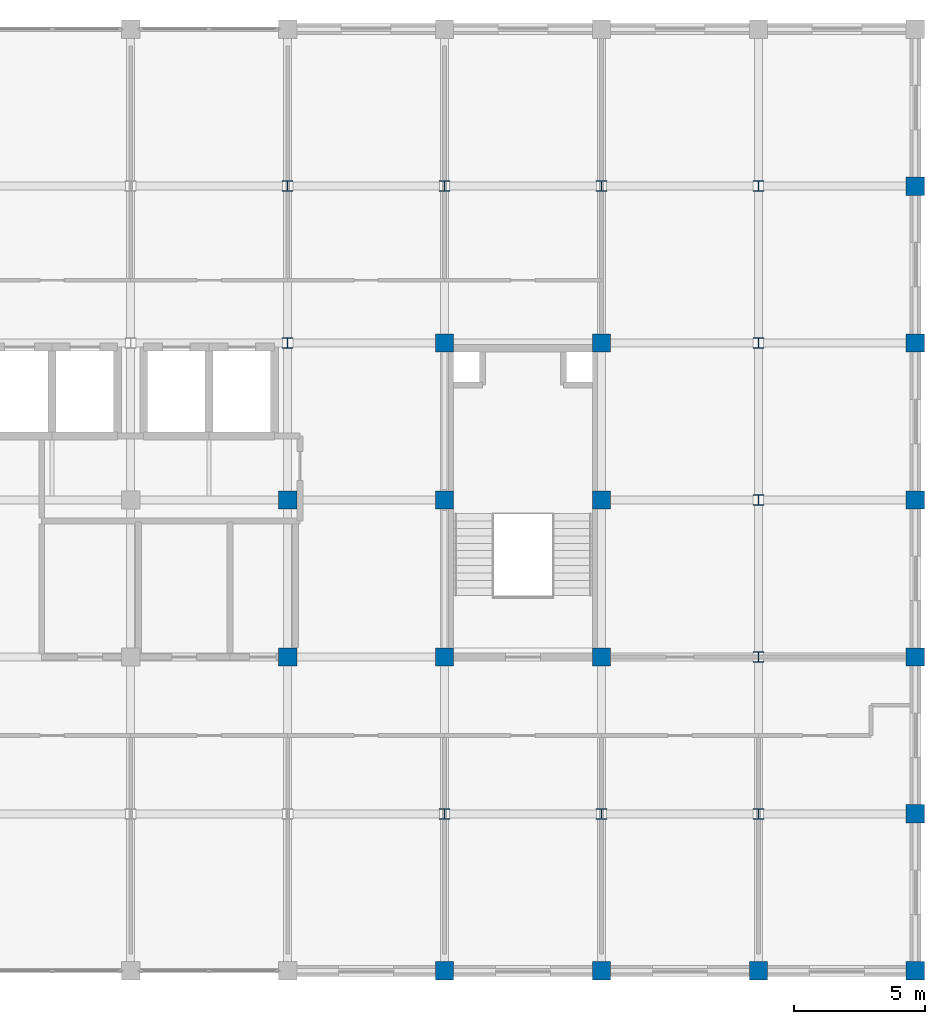
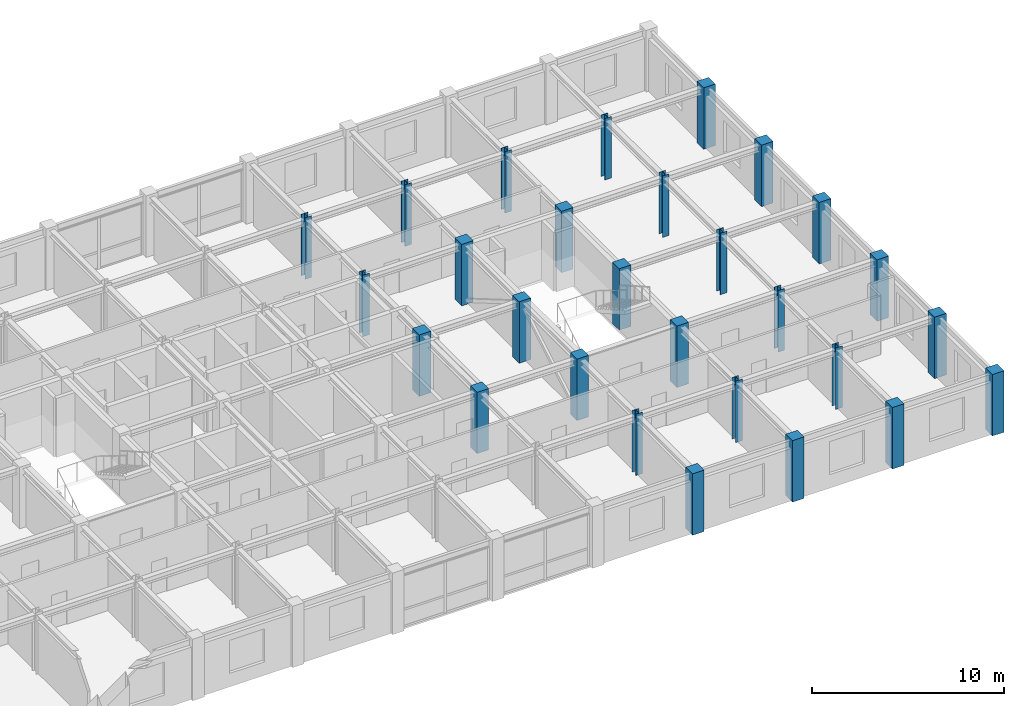
# One storey, part 2 of 14: 28 columns.
"""IFC4 building model written with IfcOpenShell, lengths in metres."""

from ifc_helpers import new_model, si_unit, direction, frame, origin, origin_2d, place, context, subcontext, project, spatial, rectangle, i_section, extrude, material, material_profile, profile_set, type_object, element, save


model = new_model("IFC4")

# Units and contexts
model_context = context("Model", 3, precision=1e-05, world=origin(), true_north=direction((0.0, 1.0)))
body_context = subcontext(model_context, "Body", "Model", "MODEL_VIEW")
ifc_project = project(units=[si_unit("LENGTHUNIT", "METRE"), si_unit("AREAUNIT", "SQUARE_METRE"), si_unit("VOLUMEUNIT", "CUBIC_METRE"), si_unit("PLANEANGLEUNIT", "RADIAN"), si_unit("MASSUNIT", "GRAM", prefix="KILO")], contexts=[model_context])

# Site, building, storey
site_placement = place(None, origin())
site = spatial("IfcSite", under=ifc_project, at=site_placement, CompositionType="ELEMENT")
building_placement = place(site_placement, origin())
building = spatial("IfcBuilding", under=site, at=building_placement, Name="Zlatovratsky Civic Hall", CompositionType="ELEMENT")
storey_placement = place(building_placement, frame((0.0, 0.0, 28.800048828125)))
storey = spatial("IfcBuildingStorey", under=building, at=storey_placement, Name="L07", CompositionType="ELEMENT", Elevation=28.800048828125)

# Columns
ifc_material_1 = material(Name="Concrete C35/45 (B40)", Category="concrete")
ifc_material_profile_1 = material_profile(ifc_material_1, rectangle(XDim=0.699951171875, YDim=0.699951171875, at=origin_2d()), Name="RC 700x700")
ifc_profile_set_1 = profile_set([ifc_material_profile_1], Name="Concrete C35/45 (B40)")
column_type_1 = type_object("IfcColumnType", Name="Col_CorePier_RC700", PredefinedType="COLUMN", material=ifc_profile_set_1)
for number, where, z_axis, x_axis, name in (
    (1, (96.0, 72.0, 0.0), (0.0, 0.0, 1.0), (1.0, 0.0, 0.0), "CL-2102"),
    (2, (102.0, 72.0, 0.0), (0.0, 0.0, 1.0), (1.0, 0.0, 0.0), "CL-2103"),
    (3, (108.0, 72.0, 0.0), (0.0, 0.0, 1.0), (1.0, 0.0, 0.0), "CL-2104"),
    (4, (114.0, 72.0, 0.0), (0.0, 0.0, 1.0), (1.0, 0.0, 0.0), "CL-2105"),
    (5, (114.0, 78.0, 0.0), (0.0, 0.0, 1.0), (1.0, 0.0, 0.0), "CL-2116"),
    (6, (90.0, 84.0, 0.0), (0.0, 0.0, 1.0), (1.0, 0.0, 0.0), "CL-2123"),
    (7, (96.0, 84.0, 0.0), (0.0, 0.0, 1.0), (1.0, 0.0, 0.0), "CL-2124"),
    (8, (102.0, 84.0, 0.0), (0.0, 0.0, 1.0), (1.0, 0.0, 0.0), "CL-2125"),
    (9, (114.0, 84.0, 0.0), (0.0, 0.0, 1.0), (1.0, 0.0, 0.0), "CL-2127"),
    (10, (90.0, 90.0, 0.0), (0.0, 0.0, 1.0), (1.0, 0.0, 0.0), "CL-2134"),
    (11, (96.0, 90.0, 0.0), (0.0, 0.0, 1.0), (1.0, 0.0, 0.0), "CL-2135"),
    (12, (102.0, 90.0, 0.0), (0.0, 0.0, 1.0), (1.0, 0.0, 0.0), "CL-2136"),
    (13, (114.0, 90.0, 0.0), (0.0, 0.0, 1.0), (1.0, 0.0, 0.0), "CL-2138"),
    (14, (96.0, 96.0, 0.0), (0.0, 0.0, 1.0), (1.0, 0.0, 0.0), "CL-2146"),
    (15, (102.0, 96.0, 0.0), (0.0, 0.0, 1.0), (1.0, 0.0, 0.0), "CL-2147"),
    (16, (114.0, 96.0, 0.0), (0.0, 0.0, 1.0), (1.0, 0.0, 0.0), "CL-2149"),
    (17, (114.0, 102.0, 0.0), (0.0, 0.0, 1.0), (1.0, 0.0, 0.0), "CL-2160"),
):
    element("IfcColumn", number, at=place(storey_placement, frame(where, z_axis=z_axis, x_axis=x_axis)), inside=storey, type_object=column_type_1, Name=name, PredefinedType="COLUMN", context=body_context, shape_type="SweptSolid", body=[
        extrude(rectangle(XDim=0.699951171875, YDim=0.699951171875, at=origin_2d()), origin(), (0.0, 0.0, 1.0), 3.89990234375),
    ])
ifc_material_2 = material(Name="Steel S355", Category="steel")
ifc_material_profile_2 = material_profile(ifc_material_2, i_section(OverallWidth=0.39794921875, OverallDepth=0.39404296875, WebThickness=0.010986328125, FlangeThickness=0.01806640625, FilletRadius=0.02197265625, at=origin_2d()), Name="40K1")
ifc_profile_set_2 = profile_set([ifc_material_profile_2], Name="Steel S355")
column_type_2 = type_object("IfcColumnType", Name="Col_Steel_40K1", PredefinedType="COLUMN", material=ifc_profile_set_2)
for number, where, z_axis, x_axis, name in (
    (18, (96.0, 78.0, 0.0), (0.0, 0.0, 1.0), (1.0, 0.0, 0.0), "CL-2113"),
    (19, (102.0, 78.0, 0.0), (0.0, 0.0, 1.0), (1.0, 0.0, 0.0), "CL-2114"),
    (20, (108.0, 78.0, 0.0), (0.0, 0.0, 1.0), (1.0, 0.0, 0.0), "CL-2115"),
    (21, (108.0, 84.0, 0.0), (0.0, 0.0, 1.0), (1.0, 0.0, 0.0), "CL-2126"),
    (22, (108.0, 90.0, 0.0), (0.0, 0.0, 1.0), (1.0, 0.0, 0.0), "CL-2137"),
    (23, (90.0, 96.0, 0.0), (0.0, 0.0, 1.0), (1.0, 0.0, 0.0), "CL-2145"),
    (24, (108.0, 96.0, 0.0), (0.0, 0.0, 1.0), (1.0, 0.0, 0.0), "CL-2148"),
    (25, (90.0, 102.0, 0.0), (0.0, 0.0, 1.0), (1.0, 0.0, 0.0), "CL-2156"),
    (26, (96.0, 102.0, 0.0), (0.0, 0.0, 1.0), (1.0, 0.0, 0.0), "CL-2157"),
    (27, (102.0, 102.0, 0.0), (0.0, 0.0, 1.0), (1.0, 0.0, 0.0), "CL-2158"),
    (28, (108.0, 102.0, 0.0), (0.0, 0.0, 1.0), (1.0, 0.0, 0.0), "CL-2159"),
):
    element("IfcColumn", number, at=place(storey_placement, frame(where, z_axis=z_axis, x_axis=x_axis)), inside=storey, type_object=column_type_2, Name=name, PredefinedType="COLUMN", context=body_context, shape_type="SweptSolid", body=[
        extrude(i_section(OverallWidth=0.39794921875, OverallDepth=0.39404296875, WebThickness=0.010986328125, FlangeThickness=0.01806640625, FilletRadius=0.02197265625, at=origin_2d()), origin(), (0.0, 0.0, 1.0), 3.89990234375),
    ])

save(model, "model.ifc")
